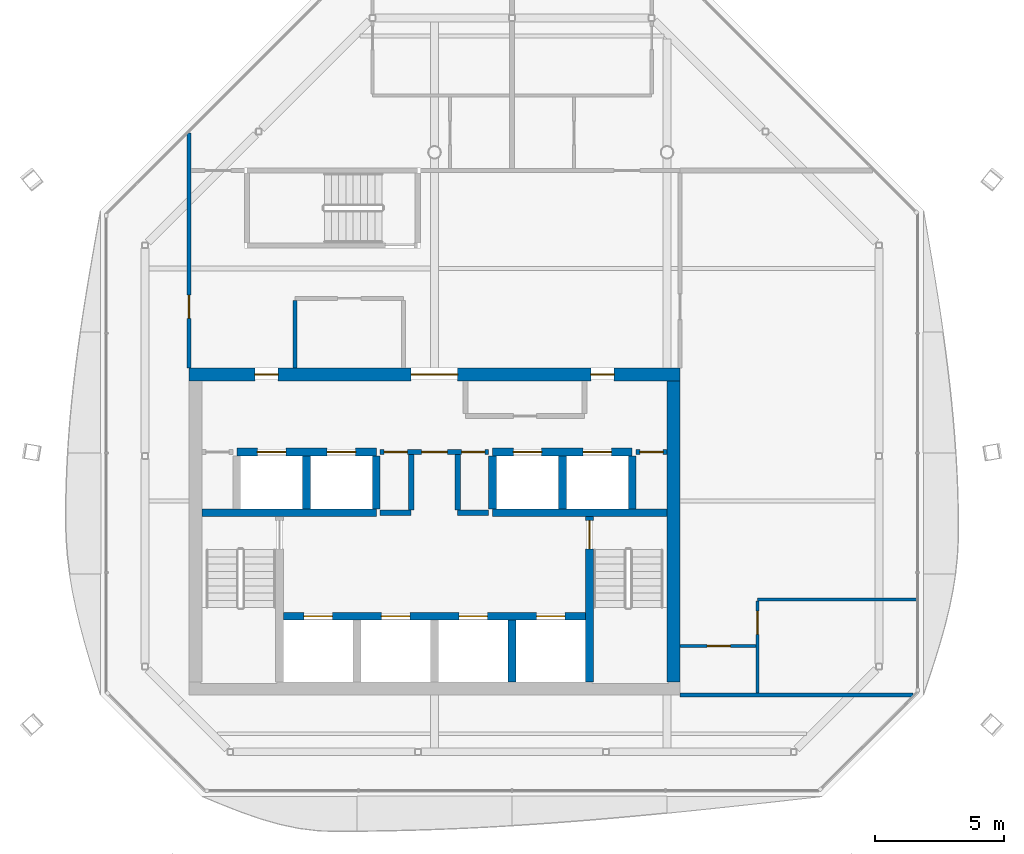
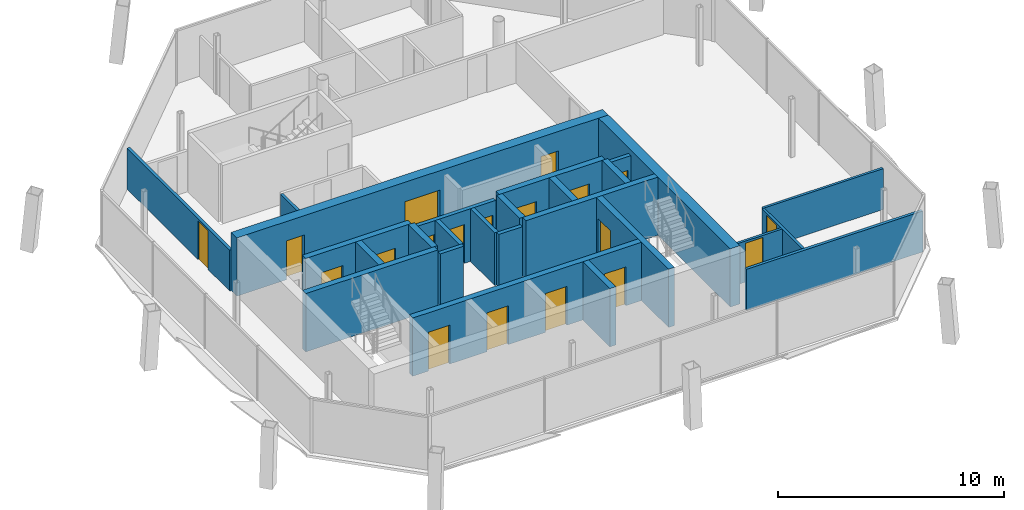
# One storey, part 9 of 13: 26 walls, 19 doors, 19 openings.
"""IFC4 building model written with IfcOpenShell, lengths in metres."""

import ifcopenshell
import ifcopenshell.guid

model = None  # the IFC model being written
_history = None  # IfcOwnerHistory: only IFC2X3 demands one
_inside = {}  # id of a spatial element -> (the spatial element, [elements in it])
_under = {}  # id of a project, library or spatial element -> (it, [spatial elements below it])
_declared = {}  # id of a project -> (the project, [libraries it declares])
_typed = {}  # id of a type object -> (the type object, [elements of that type])
_made_of = {}  # id of a material, layer set ... -> (it, [elements and type objects made of it])


def new_model(schema):
    """Start an empty IFC model of exactly this schema.

    Asked for "IFC4X3", IfcOpenShell would pick the latest addendum, in which some entities
    have other attributes; the version numbers below select the first issue.
    IFC2X3 requires an IfcOwnerHistory on every rooted entity: one is made here for all.
    """
    global model, _history
    if schema == "IFC4X3":
        model = ifcopenshell.file(schema_version=(4, 3, 0, 0))
    else:
        model = ifcopenshell.file(schema=schema)
    _inside.clear()
    _under.clear()
    _declared.clear()
    _typed.clear()
    _made_of.clear()
    _history = None
    if model.schema == "IFC2X3":
        org = make("IfcOrganization", Name="unknown")
        user = make(
            "IfcPersonAndOrganization",
            ThePerson=make("IfcPerson", FamilyName="unknown"),
            TheOrganization=org,
        )
        app = make(
            "IfcApplication",
            ApplicationDeveloper=org,
            Version="unknown",
            ApplicationFullName="unknown",
            ApplicationIdentifier="unknown",
        )
        _history = make(
            "IfcOwnerHistory",
            OwningUser=user,
            OwningApplication=app,
            ChangeAction="ADDED",
            CreationDate=0,
        )
    return model


def make(cls, **values):
    """One entity of the class cls with the attributes given. An attribute that is None is left unset."""
    return model.create_entity(
        cls, **{name: value for name, value in values.items() if value is not None}
    )


def rooted(cls, **values):
    """An entity with a GlobalId (a new one), such as an element, a storey or a relation."""
    return make(cls, GlobalId=ifcopenshell.guid.new(), OwnerHistory=_history, **values)


def si_unit(unit_type, name, prefix=None):
    """IfcSIUnit, for example si_unit("LENGTHUNIT", "METRE", prefix="MILLI")."""
    return make("IfcSIUnit", UnitType=unit_type, Prefix=prefix, Name=name)


def assignment(units):
    """IfcUnitAssignment: the units of a project."""
    return None if units is None else make("IfcUnitAssignment", Units=units)


def point(xyz):
    """IfcCartesianPoint."""
    return None if xyz is None else make("IfcCartesianPoint", Coordinates=xyz)


def direction(xyz):
    """IfcDirection."""
    return None if xyz is None else make("IfcDirection", DirectionRatios=xyz)


def frame(location, z_axis=None, x_axis=None):
    """IfcAxis2Placement3D, a coordinate frame: its origin and axes. An axis left out is left unset."""
    return make(
        "IfcAxis2Placement3D",
        Location=point(location),
        Axis=direction(z_axis),
        RefDirection=direction(x_axis),
    )


def frame_2d(location, x_axis=None):
    """IfcAxis2Placement2D, a coordinate frame in the plane: its origin and x axis."""
    return make(
        "IfcAxis2Placement2D", Location=point(location), RefDirection=direction(x_axis)
    )


def origin():
    """The frame at (0, 0, 0) with its axes left unset."""
    return frame((0.0, 0.0, 0.0))


def place(relative_to, where):
    """IfcLocalPlacement: puts the frame where relative to a parent placement (None: the world)."""
    return make(
        "IfcLocalPlacement", PlacementRelTo=relative_to, RelativePlacement=where
    )


def context(
    kind, dimensions, precision=None, world=None, true_north=None, identifier=None
):
    """IfcGeometricRepresentationContext, for example the 3D "Model" context."""
    return make(
        "IfcGeometricRepresentationContext",
        ContextIdentifier=identifier,
        ContextType=kind,
        CoordinateSpaceDimension=dimensions,
        Precision=precision,
        WorldCoordinateSystem=world,
        TrueNorth=true_north,
    )


def subcontext(parent, identifier, kind, view, scale=None):
    """IfcGeometricRepresentationSubContext, for example "Body" below "Model"."""
    return make(
        "IfcGeometricRepresentationSubContext",
        ContextIdentifier=identifier,
        ContextType=kind,
        ParentContext=parent,
        TargetScale=scale,
        TargetView=view,
    )


def project(units=None, contexts=None):
    """IfcProject with its units and contexts."""
    return rooted(
        "IfcProject",
        Name="project",
        RepresentationContexts=contexts,
        UnitsInContext=assignment(units),
    )


def spatial(cls, under=None, at=None, **own):
    """A site, building, storey or space (cls), placed at a placement, below another one or the project."""
    s = rooted(cls, ObjectPlacement=at, **own)
    if under is not None:
        _under.setdefault(under.id(), (under, []))[1].append(s)
    return s


def profile(cls, at=None, kind="AREA", **sizes):
    """A parametric profile (cls). Its sizes go by their IFC names, for example OverallWidth=200.0."""
    return make(cls, ProfileType=kind, Position=at, **sizes)


def rectangle(**sizes):
    """IfcRectangleProfileDef."""
    return profile("IfcRectangleProfileDef", **sizes)


def extrude(swept, where, along, depth):
    """IfcExtrudedAreaSolid: the profile swept, set in the frame where, extruded along a direction by depth."""
    return make(
        "IfcExtrudedAreaSolid",
        SweptArea=swept,
        Position=where,
        ExtrudedDirection=direction(along),
        Depth=depth,
    )


def shape(context_of_items, identifier, shape_type, items):
    """IfcShapeRepresentation: the items that make up one representation, for example the "Body"."""
    return make(
        "IfcShapeRepresentation",
        ContextOfItems=context_of_items,
        RepresentationIdentifier=identifier,
        RepresentationType=shape_type,
        Items=items,
    )


def material(Name=None, Category=None):
    """IfcMaterial."""
    return make("IfcMaterial", Name=Name, Category=Category)


def layer(
    of_material, thickness, ventilated=None, Name=None, Category=None, Priority=None
):
    """IfcMaterialLayer: one layer of a wall or slab, of a material (None: an air gap)."""
    return make(
        "IfcMaterialLayer",
        Material=of_material,
        LayerThickness=thickness,
        IsVentilated=ventilated,
        Name=Name,
        Category=Category,
        Priority=Priority,
    )


def layer_set(layers, Name=None):
    """IfcMaterialLayerSet."""
    return make("IfcMaterialLayerSet", MaterialLayers=layers, LayerSetName=Name)


def made_of(thing, what):
    """Note that an element or type object is made of a material, layer set ...; save() writes the relation."""
    if what is not None:
        _made_of.setdefault(what.id(), (what, []))[1].append(thing)
    return thing


def type_object(cls, material=None, **own):
    """A type object (cls), such as IfcWallType, which elements share."""
    return made_of(rooted(cls, **own), material)


def element(
    cls,
    number,
    at=None,
    inside=None,
    cuts=None,
    type_object=None,
    material=None,
    context=None,
    identifier="Body",
    shape_type=None,
    held_by="IfcProductDefinitionShape",
    body=None,
    shapes=None,
    **own,
):
    """One element of the class cls, such as IfcWall. Its Tag is "e" and its number.

    at: its placement. inside: the storey or other place that contains it. cuts: it is an
    opening in that element (IfcRelVoidsElement). A single representation is given by context,
    identifier, shape_type and body (its items); several are given by shapes. held_by: the class
    of the entity that holds the representations. save() writes the other relations.
    """
    e = rooted(cls, Tag="e%d" % number, ObjectPlacement=at, **own)
    if body is not None:
        shapes = [shape(context, identifier, shape_type, body)]
    if shapes is not None:
        e.Representation = make(held_by, Representations=shapes)
    if inside is not None:
        _inside.setdefault(inside.id(), (inside, []))[1].append(e)
    if cuts is not None:
        rooted(
            "IfcRelVoidsElement", RelatingBuildingElement=cuts, RelatedOpeningElement=e
        )
    if type_object is not None:
        _typed.setdefault(type_object.id(), (type_object, []))[1].append(e)
    return made_of(e, material)


def fill(opening, filler):
    """IfcRelFillsElement: the door or window that sits in an opening."""
    return rooted(
        "IfcRelFillsElement",
        RelatingOpeningElement=opening,
        RelatedBuildingElement=filler,
    )


def aggregate(whole, parts):
    """IfcRelAggregates: a whole, such as a stair, and the parts it consists of."""
    return rooted("IfcRelAggregates", RelatingObject=whole, RelatedObjects=parts)


def save(model, path):
    """Write the relations noted so far, then the file.

    IfcRelAggregates (storeys below a building ...), IfcRelContainedInSpatialStructure (elements
    in a storey), IfcRelDefinesByType, IfcRelAssociatesMaterial and IfcRelDeclares: one each for
    every whole, place, type object, material and project.
    """
    for whole, parts in _under.values():
        aggregate(whole, parts)
    for where, things in _inside.values():
        rooted(
            "IfcRelContainedInSpatialStructure",
            RelatedElements=things,
            RelatingStructure=where,
        )
    for kind, things in _typed.values():
        rooted("IfcRelDefinesByType", RelatedObjects=things, RelatingType=kind)
    for what, things in _made_of.values():
        rooted("IfcRelAssociatesMaterial", RelatedObjects=things, RelatingMaterial=what)
    for by, libraries in _declared.values():
        rooted("IfcRelDeclares", RelatingContext=by, RelatedDefinitions=libraries)
    model.write(path)


model = new_model("IFC4")

# Units and contexts
model_context = context("Model", 3, precision=1e-05, world=origin(), true_north=direction((0.0, 1.0)))
body_context = subcontext(model_context, "Body", "Model", "MODEL_VIEW")
ifc_project = project(units=[si_unit("LENGTHUNIT", "METRE"), si_unit("AREAUNIT", "SQUARE_METRE"), si_unit("VOLUMEUNIT", "CUBIC_METRE"), si_unit("PLANEANGLEUNIT", "RADIAN"), si_unit("MASSUNIT", "GRAM", prefix="KILO")], contexts=[model_context])

# Site, building, storey
site_placement = place(None, origin())
site = spatial("IfcSite", under=ifc_project, at=site_placement, CompositionType="ELEMENT")
building_placement = place(site_placement, origin())
building = spatial("IfcBuilding", under=site, at=building_placement, Name="Tskaro Facet Tower", CompositionType="ELEMENT")
storey_placement = place(building_placement, frame((0.0, 0.0, 281.550048828125)))
storey = spatial("IfcBuildingStorey", under=building, at=storey_placement, Name="L75", CompositionType="ELEMENT", Elevation=281.550048828125)

# Wall, openings, doors
ifc_material_1 = material(Name="Concrete C60/75", Category="concrete")
ifc_layer_1 = layer(ifc_material_1, 0.300048828125, Name="Concrete C60/75")
ifc_layer_set_1 = layer_set([ifc_layer_1], Name="Concrete C60/75")
wall_type_1 = type_object("IfcWallType", Name="CORE-SHAFT", PredefinedType="SHEAR", material=ifc_layer_set_1)
wall_1_placement = place(storey_placement, frame((-5.85009765625, -8.949951171875, 0.0), z_axis=(0.0, 0.0, 1.0), x_axis=(1.0, 0.0, 0.0)))
wall_1 = element("IfcWall", 1, at=wall_1_placement, inside=storey, type_object=wall_type_1, Name="Shaft wall W003", PredefinedType="SHEAR", context=body_context, shape_type="SweptSolid", body=[
    extrude(rectangle(XDim=11.7001953125, YDim=0.300048828125, at=frame_2d((5.85009765625, 0.0))), origin(), (0.0, 0.0, 1.0), 3.14990234375),
])
opening_1_placement = place(wall_1_placement, frame((0.800048828125, 0.0, 0.0)))
opening_1 = element("IfcOpeningElement", 2, at=opening_1_placement, cuts=wall_1, Name="Opening LD-FF1", PredefinedType="OPENING", context=body_context, shape_type="SweptSolid", body=[
    extrude(rectangle(XDim=1.10009765625, YDim=2.10009765625, at=frame_2d((0.550048828125, 1.050048828125))), frame((0.0, 0.159912109375, 0.0), z_axis=(0.0, -1.0, 0.0), x_axis=(1.0, 0.0, 0.0)), (0.0, 0.0, 1.0), 0.320068359375),
])
opening_2_placement = place(wall_1_placement, frame((3.800048828125, 0.0, 0.0)))
opening_2 = element("IfcOpeningElement", 3, at=opening_2_placement, cuts=wall_1, Name="Opening LD-FF2", PredefinedType="OPENING", context=body_context, shape_type="SweptSolid", body=[
    extrude(rectangle(XDim=1.10009765625, YDim=2.10009765625, at=frame_2d((0.550048828125, 1.050048828125))), frame((0.0, 0.159912109375, 0.0), z_axis=(0.0, -1.0, 0.0), x_axis=(1.0, 0.0, 0.0)), (0.0, 0.0, 1.0), 0.320068359375),
])
opening_3_placement = place(wall_1_placement, frame((6.800048828125, 0.0, 0.0)))
opening_3 = element("IfcOpeningElement", 4, at=opening_3_placement, cuts=wall_1, Name="Opening LD-SV1", PredefinedType="OPENING", context=body_context, shape_type="SweptSolid", body=[
    extrude(rectangle(XDim=1.10009765625, YDim=2.10009765625, at=frame_2d((0.550048828125, 1.050048828125))), frame((0.0, 0.159912109375, 0.0), z_axis=(0.0, -1.0, 0.0), x_axis=(1.0, 0.0, 0.0)), (0.0, 0.0, 1.0), 0.320068359375),
])
opening_4_placement = place(wall_1_placement, frame((9.800048828125, 0.0, 0.0)))
opening_4 = element("IfcOpeningElement", 5, at=opening_4_placement, cuts=wall_1, Name="Opening LD-SV2", PredefinedType="OPENING", context=body_context, shape_type="SweptSolid", body=[
    extrude(rectangle(XDim=1.10009765625, YDim=2.10009765625, at=frame_2d((0.550048828125, 1.050048828125))), frame((0.0, 0.159912109375, 0.0), z_axis=(0.0, -1.0, 0.0), x_axis=(1.0, 0.0, 0.0)), (0.0, 0.0, 1.0), 0.320068359375),
])
ifc_material_2 = material(Name="Stainless steel", Category="steel")
door_type_1 = type_object("IfcDoorType", Name="D-LANDING", OperationType="NOTDEFINED", PredefinedType="DOOR", material=ifc_material_2)
door_1_placement = place(opening_1_placement, origin())
door_1 = element("IfcDoor", 6, at=door_1_placement, inside=storey, type_object=door_type_1, Name="Landing door FF1", OperationType="DOUBLE_DOOR_SLIDING", OverallHeight=2.10009765625, OverallWidth=1.10009765625, PredefinedType="DOOR", context=body_context, shape_type="SweptSolid", body=[
    extrude(rectangle(XDim=1.10009765625, YDim=2.10009765625, at=frame_2d((0.550048828125, 1.050048828125))), frame((0.0, 0.02490234375, 0.0), z_axis=(0.0, -1.0, 0.0), x_axis=(1.0, 0.0, 0.0)), (0.0, 0.0, 1.0), 0.050048828125),
])
fill(opening_1, door_1)
door_2_placement = place(opening_2_placement, origin())
door_2 = element("IfcDoor", 7, at=door_2_placement, inside=storey, type_object=door_type_1, Name="Landing door FF2", OperationType="DOUBLE_DOOR_SLIDING", OverallHeight=2.10009765625, OverallWidth=1.10009765625, PredefinedType="DOOR", context=body_context, shape_type="SweptSolid", body=[
    extrude(rectangle(XDim=1.10009765625, YDim=2.10009765625, at=frame_2d((0.550048828125, 1.050048828125))), frame((0.0, 0.02490234375, 0.0), z_axis=(0.0, -1.0, 0.0), x_axis=(1.0, 0.0, 0.0)), (0.0, 0.0, 1.0), 0.050048828125),
])
fill(opening_2, door_2)
door_3_placement = place(opening_3_placement, origin())
door_3 = element("IfcDoor", 8, at=door_3_placement, inside=storey, type_object=door_type_1, Name="Landing door SV1", OperationType="DOUBLE_DOOR_SLIDING", OverallHeight=2.10009765625, OverallWidth=1.10009765625, PredefinedType="DOOR", context=body_context, shape_type="SweptSolid", body=[
    extrude(rectangle(XDim=1.10009765625, YDim=2.10009765625, at=frame_2d((0.550048828125, 1.050048828125))), frame((0.0, 0.02490234375, 0.0), z_axis=(0.0, -1.0, 0.0), x_axis=(1.0, 0.0, 0.0)), (0.0, 0.0, 1.0), 0.050048828125),
])
fill(opening_3, door_3)
door_4_placement = place(opening_4_placement, origin())
door_4 = element("IfcDoor", 9, at=door_4_placement, inside=storey, type_object=door_type_1, Name="Landing door SV2", OperationType="DOUBLE_DOOR_SLIDING", OverallHeight=2.10009765625, OverallWidth=1.10009765625, PredefinedType="DOOR", context=body_context, shape_type="SweptSolid", body=[
    extrude(rectangle(XDim=1.10009765625, YDim=2.10009765625, at=frame_2d((0.550048828125, 1.050048828125))), frame((0.0, 0.02490234375, 0.0), z_axis=(0.0, -1.0, 0.0), x_axis=(1.0, 0.0, 0.0)), (0.0, 0.0, 1.0), 0.050048828125),
])
fill(opening_4, door_4)

# Walls
for number, where, z_axis, x_axis, name in (
    (10, (-9.0, -4.949951171875, 0.0), (0.0, 0.0, 1.0), (1.0, 0.0, 0.0), "Shaft wall W005"),
    (11, (2.25, -4.949951171875, 0.0), (0.0, 0.0, 1.0), (1.0, 0.0, 0.0), "Shaft wall W008"),
):
    element("IfcWall", number, at=place(storey_placement, frame(where, z_axis=z_axis, x_axis=x_axis)), inside=storey, type_object=wall_type_1, Name=name, PredefinedType="SHEAR", context=body_context, shape_type="SweptSolid", body=[
        extrude(rectangle(XDim=6.75, YDim=0.300048828125, at=frame_2d((3.375, 0.0))), origin(), (0.0, 0.0, 1.0), 3.14990234375),
    ])

# Wall, openings, doors
wall_2_placement = place(storey_placement, frame((-7.64990234375, -2.60009765625, 0.0), z_axis=(0.0, 0.0, 1.0), x_axis=(1.0, 0.0, 0.0)))
wall_2 = element("IfcWall", 12, at=wall_2_placement, inside=storey, type_object=wall_type_1, Name="Shaft wall W010", PredefinedType="SHEAR", context=body_context, shape_type="SweptSolid", body=[
    extrude(rectangle(XDim=5.39990234375, YDim=0.300048828125, at=frame_2d((2.699951171875, 0.0))), origin(), (0.0, 0.0, 1.0), 3.14990234375),
])
opening_5_placement = place(wall_2_placement, frame((0.800048828125, 0.0, 0.0)))
opening_5 = element("IfcOpeningElement", 13, at=opening_5_placement, cuts=wall_2, Name="Opening LD-HB1", PredefinedType="OPENING", context=body_context, shape_type="SweptSolid", body=[
    extrude(rectangle(XDim=1.10009765625, YDim=2.10009765625, at=frame_2d((0.550048828125, 1.050048828125))), frame((0.0, 0.159912109375, 0.0), z_axis=(0.0, -1.0, 0.0), x_axis=(1.0, 0.0, 0.0)), (0.0, 0.0, 1.0), 0.320068359375),
])
opening_6_placement = place(wall_2_placement, frame((3.5, 0.0, 0.0)))
opening_6 = element("IfcOpeningElement", 14, at=opening_6_placement, cuts=wall_2, Name="Opening LD-HB2", PredefinedType="OPENING", context=body_context, shape_type="SweptSolid", body=[
    extrude(rectangle(XDim=1.10009765625, YDim=2.10009765625, at=frame_2d((0.550048828125, 1.050048828125))), frame((0.0, 0.159912109375, 0.0), z_axis=(0.0, -1.0, 0.0), x_axis=(1.0, 0.0, 0.0)), (0.0, 0.0, 1.0), 0.320068359375),
])
door_5_placement = place(opening_5_placement, origin())
door_5 = element("IfcDoor", 15, at=door_5_placement, inside=storey, type_object=door_type_1, Name="Landing door HB1", OperationType="DOUBLE_DOOR_SLIDING", OverallHeight=2.10009765625, OverallWidth=1.10009765625, PredefinedType="DOOR", context=body_context, shape_type="SweptSolid", body=[
    extrude(rectangle(XDim=1.10009765625, YDim=2.10009765625, at=frame_2d((0.550048828125, 1.050048828125))), frame((0.0, 0.02490234375, 0.0), z_axis=(0.0, -1.0, 0.0), x_axis=(1.0, 0.0, 0.0)), (0.0, 0.0, 1.0), 0.050048828125),
])
fill(opening_5, door_5)
door_6_placement = place(opening_6_placement, origin())
door_6 = element("IfcDoor", 16, at=door_6_placement, inside=storey, type_object=door_type_1, Name="Landing door HB2", OperationType="DOUBLE_DOOR_SLIDING", OverallHeight=2.10009765625, OverallWidth=1.10009765625, PredefinedType="DOOR", context=body_context, shape_type="SweptSolid", body=[
    extrude(rectangle(XDim=1.10009765625, YDim=2.10009765625, at=frame_2d((0.550048828125, 1.050048828125))), frame((0.0, 0.02490234375, 0.0), z_axis=(0.0, -1.0, 0.0), x_axis=(1.0, 0.0, 0.0)), (0.0, 0.0, 1.0), 0.050048828125),
])
fill(opening_6, door_6)

wall_3_placement = place(storey_placement, frame((2.25, -2.60009765625, 0.0), z_axis=(0.0, 0.0, 1.0), x_axis=(1.0, 0.0, 0.0)))
wall_3 = element("IfcWall", 17, at=wall_3_placement, inside=storey, type_object=wall_type_1, Name="Shaft wall W012", PredefinedType="SHEAR", context=body_context, shape_type="SweptSolid", body=[
    extrude(rectangle(XDim=5.39990234375, YDim=0.300048828125, at=frame_2d((2.699951171875, 0.0))), origin(), (0.0, 0.0, 1.0), 3.14990234375),
])
opening_7_placement = place(wall_3_placement, frame((0.800048828125, 0.0, 0.0)))
opening_7 = element("IfcOpeningElement", 18, at=opening_7_placement, cuts=wall_3, Name="Opening LD-HB3", PredefinedType="OPENING", context=body_context, shape_type="SweptSolid", body=[
    extrude(rectangle(XDim=1.10009765625, YDim=2.10009765625, at=frame_2d((0.550048828125, 1.050048828125))), frame((0.0, 0.159912109375, 0.0), z_axis=(0.0, -1.0, 0.0), x_axis=(1.0, 0.0, 0.0)), (0.0, 0.0, 1.0), 0.320068359375),
])
opening_8_placement = place(wall_3_placement, frame((3.5, 0.0, 0.0)))
opening_8 = element("IfcOpeningElement", 19, at=opening_8_placement, cuts=wall_3, Name="Opening LD-HB4", PredefinedType="OPENING", context=body_context, shape_type="SweptSolid", body=[
    extrude(rectangle(XDim=1.10009765625, YDim=2.10009765625, at=frame_2d((0.550048828125, 1.050048828125))), frame((0.0, 0.159912109375, 0.0), z_axis=(0.0, -1.0, 0.0), x_axis=(1.0, 0.0, 0.0)), (0.0, 0.0, 1.0), 0.320068359375),
])
door_7_placement = place(opening_7_placement, origin())
door_7 = element("IfcDoor", 20, at=door_7_placement, inside=storey, type_object=door_type_1, Name="Landing door HB3", OperationType="DOUBLE_DOOR_SLIDING", OverallHeight=2.10009765625, OverallWidth=1.10009765625, PredefinedType="DOOR", context=body_context, shape_type="SweptSolid", body=[
    extrude(rectangle(XDim=1.10009765625, YDim=2.10009765625, at=frame_2d((0.550048828125, 1.050048828125))), frame((0.0, 0.02490234375, 0.0), z_axis=(0.0, -1.0, 0.0), x_axis=(1.0, 0.0, 0.0)), (0.0, 0.0, 1.0), 0.050048828125),
])
fill(opening_7, door_7)
door_8_placement = place(opening_8_placement, origin())
door_8 = element("IfcDoor", 21, at=door_8_placement, inside=storey, type_object=door_type_1, Name="Landing door HB4", OperationType="DOUBLE_DOOR_SLIDING", OverallHeight=2.10009765625, OverallWidth=1.10009765625, PredefinedType="DOOR", context=body_context, shape_type="SweptSolid", body=[
    extrude(rectangle(XDim=1.10009765625, YDim=2.10009765625, at=frame_2d((0.550048828125, 1.050048828125))), frame((0.0, 0.02490234375, 0.0), z_axis=(0.0, -1.0, 0.0), x_axis=(1.0, 0.0, 0.0)), (0.0, 0.0, 1.0), 0.050048828125),
])
fill(opening_8, door_8)

# Walls
for number, where, z_axis, x_axis, name in (
    (22, (-4.949951171875, -4.800048828125, 0.0), (0.0, 0.0, 1.0), (0.0, 1.0, 0.0), "Shaft wall W027"),
    (23, (-2.25, -4.800048828125, 0.0), (0.0, 0.0, 1.0), (0.0, 1.0, 0.0), "Shaft wall W031"),
    (24, (2.25, -4.800048828125, 0.0), (0.0, 0.0, 1.0), (0.0, 1.0, 0.0), "Shaft wall W039"),
):
    element("IfcWall", number, at=place(storey_placement, frame(where, z_axis=z_axis, x_axis=x_axis)), inside=storey, type_object=wall_type_1, Name=name, PredefinedType="SHEAR", context=body_context, shape_type="SweptSolid", body=[
        extrude(rectangle(XDim=2.050048828125, YDim=0.300048828125, at=frame_2d((1.02490234375, 0.0))), origin(), (0.0, 0.0, 1.0), 3.14990234375),
    ])
wall_4_placement = place(storey_placement, frame((3.0, -11.5, 0.0), z_axis=(0.0, 0.0, 1.0), x_axis=(0.0, 1.0, 0.0)))
element("IfcWall", 25, at=wall_4_placement, inside=storey, type_object=wall_type_1, Name="Shaft wall W040", PredefinedType="SHEAR", context=body_context, shape_type="SweptSolid", body=[
    extrude(rectangle(XDim=2.39990234375, YDim=0.300048828125, at=frame_2d((1.199951171875, 0.0))), origin(), (0.0, 0.0, 1.0), 3.14990234375),
])
wall_5_placement = place(storey_placement, frame((4.949951171875, -4.800048828125, 0.0), z_axis=(0.0, 0.0, 1.0), x_axis=(0.0, 1.0, 0.0)))
element("IfcWall", 26, at=wall_5_placement, inside=storey, type_object=wall_type_1, Name="Shaft wall W043", PredefinedType="SHEAR", context=body_context, shape_type="SweptSolid", body=[
    extrude(rectangle(XDim=2.050048828125, YDim=0.300048828125, at=frame_2d((1.02490234375, 0.0))), origin(), (0.0, 0.0, 1.0), 3.14990234375),
])

# Wall, opening, door
wall_6_placement = place(storey_placement, frame((6.0, -5.10009765625, 0.0), z_axis=(0.0, 0.0, 1.0), x_axis=(0.0, -1.0, 0.0)))
wall_6 = element("IfcWall", 27, at=wall_6_placement, inside=storey, type_object=wall_type_1, Name="Shaft wall W046", PredefinedType="SHEAR", context=body_context, shape_type="SweptSolid", body=[
    extrude(rectangle(XDim=6.39990234375, YDim=0.300048828125, at=frame_2d((3.199951171875, 0.0))), origin(), (0.0, 0.0, 1.0), 3.14990234375),
])
opening_9_placement = place(wall_6_placement, frame((0.14990234375, 0.0, 0.0)))
opening_9 = element("IfcOpeningElement", 28, at=opening_9_placement, cuts=wall_6, Name="Opening ST-2-D1", PredefinedType="OPENING", context=body_context, shape_type="SweptSolid", body=[
    extrude(rectangle(XDim=1.10009765625, YDim=2.10009765625, at=frame_2d((0.550048828125, 1.050048828125))), frame((0.0, 0.159912109375, 0.0), z_axis=(0.0, -1.0, 0.0), x_axis=(1.0, 0.0, 0.0)), (0.0, 0.0, 1.0), 0.320068359375),
])
ifc_material_3 = material(Name="Steel", Category="steel")
door_type_2 = type_object("IfcDoorType", Name="D-STAIR", OperationType="NOTDEFINED", PredefinedType="DOOR", material=ifc_material_3)
door_9_placement = place(opening_9_placement, origin())
door_9 = element("IfcDoor", 29, at=door_9_placement, inside=storey, type_object=door_type_2, Name="Stair door 2", OperationType="SINGLE_SWING_RIGHT", OverallHeight=2.10009765625, OverallWidth=1.10009765625, PredefinedType="DOOR", context=body_context, shape_type="SweptSolid", body=[
    extrude(rectangle(XDim=1.10009765625, YDim=2.10009765625, at=frame_2d((0.550048828125, 1.050048828125))), frame((0.0, 0.02490234375, 0.0), z_axis=(0.0, -1.0, 0.0), x_axis=(1.0, 0.0, 0.0)), (0.0, 0.0, 1.0), 0.050048828125),
])
fill(opening_9, door_9)

# Walls
wall_7_placement = place(storey_placement, frame((7.64990234375, -4.800048828125, 0.0), z_axis=(0.0, 0.0, 1.0), x_axis=(0.0, 1.0, 0.0)))
element("IfcWall", 30, at=wall_7_placement, inside=storey, type_object=wall_type_1, Name="Shaft wall W047", PredefinedType="SHEAR", context=body_context, shape_type="SweptSolid", body=[
    extrude(rectangle(XDim=2.050048828125, YDim=0.300048828125, at=frame_2d((1.02490234375, 0.0))), origin(), (0.0, 0.0, 1.0), 3.14990234375),
])
ifc_material_4 = material(Name="Concrete C20/25", Category="concrete")
ifc_layer_2 = layer(ifc_material_4, 0.199951171875, Name="Concrete C20/25")
ifc_layer_set_2 = layer_set([ifc_layer_2], Name="Concrete C20/25")
wall_type_2 = type_object("IfcWallType", Name="CORE-WALL", PredefinedType="SOLIDWALL", material=ifc_layer_set_2)
for number, where, z_axis, x_axis, name in (
    (31, (-2.10009765625, -4.949951171875, 0.0), (0.0, 0.0, 1.0), (1.0, 0.0, 0.0), "Core room wall W006"),
    (32, (0.89990234375, -4.949951171875, 0.0), (0.0, 0.0, 1.0), (1.0, 0.0, 0.0), "Core room wall W007"),
):
    element("IfcWall", number, at=place(storey_placement, frame(where, z_axis=z_axis, x_axis=x_axis)), inside=storey, type_object=wall_type_2, Name=name, PredefinedType="SOLIDWALL", context=body_context, shape_type="SweptSolid", body=[
        extrude(rectangle(XDim=1.2001953125, YDim=0.199951171875, at=frame_2d((0.60009765625, 0.0))), origin(), (0.0, 0.0, 1.0), 2.849853515625),
    ])

# Wall, openings, doors
wall_8_placement = place(storey_placement, frame((2.10009765625, -2.60009765625, 0.0), z_axis=(0.0, 0.0, 1.0), x_axis=(-1.0, 0.0, 0.0)))
wall_8 = element("IfcWall", 33, at=wall_8_placement, inside=storey, type_object=wall_type_2, Name="Core room wall W011", PredefinedType="SOLIDWALL", context=body_context, shape_type="SweptSolid", body=[
    extrude(rectangle(XDim=4.2001953125, YDim=0.199951171875, at=frame_2d((2.10009765625, 0.0))), origin(), (0.0, 0.0, 1.0), 2.849853515625),
])
opening_10_placement = place(wall_8_placement, frame((1.60009765625, 0.0, 0.0)))
opening_10 = element("IfcOpeningElement", 34, at=opening_10_placement, cuts=wall_8, Name="Opening FL-D1", PredefinedType="OPENING", context=body_context, shape_type="SweptSolid", body=[
    extrude(rectangle(XDim=1.0, YDim=2.10009765625, at=frame_2d((0.5, 1.050048828125))), frame((0.0, 0.10986328125, 0.0), z_axis=(0.0, -1.0, 0.0), x_axis=(1.0, 0.0, 0.0)), (0.0, 0.0, 1.0), 0.219970703125),
])
opening_11_placement = place(wall_8_placement, frame((3.14990234375, 0.0, 0.0)))
opening_11 = element("IfcOpeningElement", 35, at=opening_11_placement, cuts=wall_8, Name="Opening T22-D04", PredefinedType="OPENING", context=body_context, shape_type="SweptSolid", body=[
    extrude(rectangle(XDim=0.89990234375, YDim=2.10009765625, at=frame_2d((0.449951171875, 1.050048828125))), frame((0.0, 0.10986328125, 0.0), z_axis=(0.0, -1.0, 0.0), x_axis=(1.0, 0.0, 0.0)), (0.0, 0.0, 1.0), 0.219970703125),
])
opening_12_placement = place(wall_8_placement, frame((0.14990234375, 0.0, 0.0)))
opening_12 = element("IfcOpeningElement", 36, at=opening_12_placement, cuts=wall_8, Name="Opening T22-D05", PredefinedType="OPENING", context=body_context, shape_type="SweptSolid", body=[
    extrude(rectangle(XDim=0.89990234375, YDim=2.10009765625, at=frame_2d((0.449951171875, 1.050048828125))), frame((0.0, 0.10986328125, 0.0), z_axis=(0.0, -1.0, 0.0), x_axis=(1.0, 0.0, 0.0)), (0.0, 0.0, 1.0), 0.219970703125),
])
door_type_3 = type_object("IfcDoorType", Name="D-LOBBY", OperationType="NOTDEFINED", PredefinedType="DOOR", material=ifc_material_3)
door_10_placement = place(opening_10_placement, origin())
door_10 = element("IfcDoor", 37, at=door_10_placement, inside=storey, type_object=door_type_3, Name="Lobby door FL", OperationType="SINGLE_SWING_RIGHT", OverallHeight=2.10009765625, OverallWidth=1.0, PredefinedType="DOOR", context=body_context, shape_type="SweptSolid", body=[
    extrude(rectangle(XDim=1.0, YDim=2.10009765625, at=frame_2d((0.5, 1.050048828125))), frame((0.0, 0.02490234375, 0.0), z_axis=(0.0, -1.0, 0.0), x_axis=(1.0, 0.0, 0.0)), (0.0, 0.0, 1.0), 0.050048828125),
])
fill(opening_10, door_10)
ifc_material_5 = material(Name="Timber", Category="wood")
door_type_4 = type_object("IfcDoorType", Name="D-ROOM", OperationType="NOTDEFINED", PredefinedType="DOOR", material=ifc_material_5)
door_11_placement = place(opening_11_placement, origin())
door_11 = element("IfcDoor", 38, at=door_11_placement, inside=storey, type_object=door_type_4, Name="Door T22-D04", OperationType="SINGLE_SWING_RIGHT", OverallHeight=2.10009765625, OverallWidth=0.89990234375, PredefinedType="DOOR", context=body_context, shape_type="SweptSolid", body=[
    extrude(rectangle(XDim=0.89990234375, YDim=2.10009765625, at=frame_2d((0.449951171875, 1.050048828125))), frame((0.0, 0.02490234375, 0.0), z_axis=(0.0, -1.0, 0.0), x_axis=(1.0, 0.0, 0.0)), (0.0, 0.0, 1.0), 0.050048828125),
])
fill(opening_11, door_11)
door_12_placement = place(opening_12_placement, origin())
door_12 = element("IfcDoor", 39, at=door_12_placement, inside=storey, type_object=door_type_4, Name="Door T22-D05", OperationType="SINGLE_SWING_RIGHT", OverallHeight=2.10009765625, OverallWidth=0.89990234375, PredefinedType="DOOR", context=body_context, shape_type="SweptSolid", body=[
    extrude(rectangle(XDim=0.89990234375, YDim=2.10009765625, at=frame_2d((0.449951171875, 1.050048828125))), frame((0.0, 0.02490234375, 0.0), z_axis=(0.0, -1.0, 0.0), x_axis=(1.0, 0.0, 0.0)), (0.0, 0.0, 1.0), 0.050048828125),
])
fill(opening_12, door_12)

# Wall, opening, door
wall_9_placement = place(storey_placement, frame((9.0, -2.60009765625, 0.0), z_axis=(0.0, 0.0, 1.0), x_axis=(-1.0, 0.0, 0.0)))
wall_9 = element("IfcWall", 40, at=wall_9_placement, inside=storey, type_object=wall_type_2, Name="Core room wall W013", PredefinedType="SOLIDWALL", context=body_context, shape_type="SweptSolid", body=[
    extrude(rectangle(XDim=1.199951171875, YDim=0.199951171875, at=frame_2d((0.60009765625, 0.0))), origin(), (0.0, 0.0, 1.0), 2.849853515625),
])
opening_13_placement = place(wall_9_placement, frame((0.14990234375, 0.0, 0.0)))
opening_13 = element("IfcOpeningElement", 41, at=opening_13_placement, cuts=wall_9, Name="Opening T22-D06", PredefinedType="OPENING", context=body_context, shape_type="SweptSolid", body=[
    extrude(rectangle(XDim=0.89990234375, YDim=2.10009765625, at=frame_2d((0.449951171875, 1.050048828125))), frame((0.0, 0.10986328125, 0.0), z_axis=(0.0, -1.0, 0.0), x_axis=(1.0, 0.0, 0.0)), (0.0, 0.0, 1.0), 0.219970703125),
])
door_13_placement = place(opening_13_placement, origin())
door_13 = element("IfcDoor", 42, at=door_13_placement, inside=storey, type_object=door_type_4, Name="Door T22-D06", OperationType="SINGLE_SWING_RIGHT", OverallHeight=2.10009765625, OverallWidth=0.89990234375, PredefinedType="DOOR", context=body_context, shape_type="SweptSolid", body=[
    extrude(rectangle(XDim=0.89990234375, YDim=2.10009765625, at=frame_2d((0.449951171875, 1.050048828125))), frame((0.0, 0.02490234375, 0.0), z_axis=(0.0, -1.0, 0.0), x_axis=(1.0, 0.0, 0.0)), (0.0, 0.0, 1.0), 0.050048828125),
])
fill(opening_13, door_13)

# Walls
for number, where, z_axis, x_axis, name in (
    (43, (-0.89990234375, -4.85009765625, 0.0), (0.0, 0.0, 1.0), (0.0, 1.0, 0.0), "Core room wall W033"),
    (44, (0.89990234375, -4.85009765625, 0.0), (0.0, 0.0, 1.0), (0.0, 1.0, 0.0), "Core room wall W037"),
):
    element("IfcWall", number, at=place(storey_placement, frame(where, z_axis=z_axis, x_axis=x_axis)), inside=storey, type_object=wall_type_2, Name=name, PredefinedType="SOLIDWALL", context=body_context, shape_type="SweptSolid", body=[
        extrude(rectangle(XDim=2.150146484375, YDim=0.199951171875, at=frame_2d((1.0751953125, 0.0))), origin(), (0.0, 0.0, 1.0), 2.849853515625),
    ])

# Wall, openings, doors
ifc_material_6 = material(Name="Concrete C40/50", Category="concrete")
ifc_layer_3 = layer(ifc_material_6, 0.5, Name="Concrete C40/50")
ifc_layer_set_3 = layer_set([ifc_layer_3], Name="Concrete C40/50")
wall_type_3 = type_object("IfcWallType", Name="Core wall 500", PredefinedType="SHEAR", material=ifc_layer_set_3)
wall_10_placement = place(storey_placement, frame((-9.5, 0.39990234375, 0.0), z_axis=(0.0, 0.0, 1.0), x_axis=(1.0, 0.0, 0.0)))
wall_10 = element("IfcWall", 45, at=wall_10_placement, inside=storey, type_object=wall_type_3, Name="Core wall CW-Z3N", PredefinedType="SHEAR", context=body_context, shape_type="SweptSolid", body=[
    extrude(rectangle(XDim=19.0, YDim=0.5, at=frame_2d((9.5, 0.0))), origin(), (0.0, 0.0, 1.0), 3.14990234375),
])
opening_14_placement = place(wall_10_placement, frame((8.60009765625, 0.0, 0.0)))
opening_14 = element("IfcOpeningElement", 46, at=opening_14_placement, cuts=wall_10, Name="Opening T22-D09", PredefinedType="OPENING", context=body_context, shape_type="SweptSolid", body=[
    extrude(rectangle(XDim=1.800048828125, YDim=2.10009765625, at=frame_2d((0.89990234375, 1.050048828125))), frame((0.0, 0.260009765625, 0.0), z_axis=(0.0, -1.0, 0.0), x_axis=(1.0, 0.0, 0.0)), (0.0, 0.0, 1.0), 0.52001953125),
])
opening_15_placement = place(wall_10_placement, frame((2.550048828125, 0.0, 0.0)))
opening_15 = element("IfcOpeningElement", 47, at=opening_15_placement, cuts=wall_10, Name="Opening T22-D08", PredefinedType="OPENING", context=body_context, shape_type="SweptSolid", body=[
    extrude(rectangle(XDim=0.89990234375, YDim=2.10009765625, at=frame_2d((0.449951171875, 1.050048828125))), frame((0.0, 0.260009765625, 0.0), z_axis=(0.0, -1.0, 0.0), x_axis=(1.0, 0.0, 0.0)), (0.0, 0.0, 1.0), 0.52001953125),
])
opening_16_placement = place(wall_10_placement, frame((15.550048828125, 0.0, 0.0)))
opening_16 = element("IfcOpeningElement", 48, at=opening_16_placement, cuts=wall_10, Name="Opening T22-D10", PredefinedType="OPENING", context=body_context, shape_type="SweptSolid", body=[
    extrude(rectangle(XDim=0.89990234375, YDim=2.10009765625, at=frame_2d((0.449951171875, 1.050048828125))), frame((0.0, 0.260009765625, 0.0), z_axis=(0.0, -1.0, 0.0), x_axis=(1.0, 0.0, 0.0)), (0.0, 0.0, 1.0), 0.52001953125),
])
door_type_5 = type_object("IfcDoorType", Name="D-CORE-PAIR", OperationType="NOTDEFINED", PredefinedType="DOOR", material=ifc_material_3)
door_14_placement = place(opening_14_placement, origin())
door_14 = element("IfcDoor", 49, at=door_14_placement, inside=storey, type_object=door_type_5, Name="Door T22-D09", OperationType="DOUBLE_DOOR_SINGLE_SWING", OverallHeight=2.10009765625, OverallWidth=1.800048828125, PredefinedType="DOOR", context=body_context, shape_type="SweptSolid", body=[
    extrude(rectangle(XDim=1.800048828125, YDim=2.10009765625, at=frame_2d((0.89990234375, 1.050048828125))), frame((0.0, 0.02490234375, 0.0), z_axis=(0.0, -1.0, 0.0), x_axis=(1.0, 0.0, 0.0)), (0.0, 0.0, 1.0), 0.050048828125),
])
fill(opening_14, door_14)
door_15_placement = place(opening_15_placement, origin())
door_15 = element("IfcDoor", 50, at=door_15_placement, inside=storey, type_object=door_type_4, Name="Door T22-D08", OperationType="SINGLE_SWING_LEFT", OverallHeight=2.10009765625, OverallWidth=0.89990234375, PredefinedType="DOOR", context=body_context, shape_type="SweptSolid", body=[
    extrude(rectangle(XDim=0.89990234375, YDim=2.10009765625, at=frame_2d((0.449951171875, 1.050048828125))), frame((0.0, 0.02490234375, 0.0), z_axis=(0.0, -1.0, 0.0), x_axis=(1.0, 0.0, 0.0)), (0.0, 0.0, 1.0), 0.050048828125),
])
fill(opening_15, door_15)
door_16_placement = place(opening_16_placement, origin())
door_16 = element("IfcDoor", 51, at=door_16_placement, inside=storey, type_object=door_type_4, Name="Door T22-D10", OperationType="SINGLE_SWING_LEFT", OverallHeight=2.10009765625, OverallWidth=0.89990234375, PredefinedType="DOOR", context=body_context, shape_type="SweptSolid", body=[
    extrude(rectangle(XDim=0.89990234375, YDim=2.10009765625, at=frame_2d((0.449951171875, 1.050048828125))), frame((0.0, 0.02490234375, 0.0), z_axis=(0.0, -1.0, 0.0), x_axis=(1.0, 0.0, 0.0)), (0.0, 0.0, 1.0), 0.050048828125),
])
fill(opening_16, door_16)

# Wall
wall_11_placement = place(storey_placement, frame((9.25, -11.5, 0.0), z_axis=(0.0, 0.0, 1.0), x_axis=(0.0, 1.0, 0.0)))
element("IfcWall", 52, at=wall_11_placement, inside=storey, type_object=wall_type_3, Name="Core wall CW-Z3E", PredefinedType="SHEAR", context=body_context, shape_type="SweptSolid", body=[
    extrude(rectangle(XDim=11.64990234375, YDim=0.5, at=frame_2d((5.824951171875, 0.0))), origin(), (0.0, 0.0, 1.0), 3.14990234375),
])

# Wall, opening, door
ifc_material_7 = material(Name="Gypsum board on steel studs", Category="steel")
ifc_layer_4 = layer(ifc_material_7, 0.125, Name="Gypsum board on steel studs")
ifc_layer_set_4 = layer_set([ifc_layer_4], Name="Gypsum board on steel studs")
wall_type_4 = type_object("IfcWallType", Name="PART", PredefinedType="PARTITIONING", material=ifc_layer_set_4)
wall_12_placement = place(storey_placement, frame((12.4375, -10.10009765625, 0.0), z_axis=(0.0, 0.0, 1.0), x_axis=(-1.0, 0.0, 0.0)))
wall_12 = element("IfcWall", 53, at=wall_12_placement, inside=storey, type_object=wall_type_4, Name="Partition W002", PredefinedType="PARTITIONING", context=body_context, shape_type="SweptSolid", body=[
    extrude(rectangle(XDim=2.9375, YDim=0.125, at=frame_2d((1.46875, 0.0))), origin(), (0.0, 0.0, 1.0), 2.2099609375),
])
opening_17_placement = place(wall_12_placement, frame((0.987548828125, 0.0, 0.0)))
opening_17 = element("IfcOpeningElement", 54, at=opening_17_placement, cuts=wall_12, Name="Opening T22-D01", PredefinedType="OPENING", context=body_context, shape_type="SweptSolid", body=[
    extrude(rectangle(XDim=0.89990234375, YDim=2.10009765625, at=frame_2d((0.449951171875, 1.050048828125))), frame((0.0, 0.072509765625, 0.0), z_axis=(0.0, -1.0, 0.0), x_axis=(1.0, 0.0, 0.0)), (0.0, 0.0, 1.0), 0.14501953125),
])
door_17_placement = place(opening_17_placement, origin())
door_17 = element("IfcDoor", 55, at=door_17_placement, inside=storey, type_object=door_type_4, Name="Door T22-D01", OperationType="SINGLE_SWING_RIGHT", OverallHeight=2.10009765625, OverallWidth=0.89990234375, PredefinedType="DOOR", context=body_context, shape_type="SweptSolid", body=[
    extrude(rectangle(XDim=0.89990234375, YDim=2.10009765625, at=frame_2d((0.449951171875, 1.050048828125))), frame((0.0, 0.02490234375, 0.0), z_axis=(0.0, -1.0, 0.0), x_axis=(1.0, 0.0, 0.0)), (0.0, 0.0, 1.0), 0.050048828125),
])
fill(opening_17, door_17)

# Wall
wall_13_placement = place(storey_placement, frame((12.5, -8.300048828125, 0.0), z_axis=(0.0, 0.0, 1.0), x_axis=(1.0, 0.0, 0.0)))
element("IfcWall", 56, at=wall_13_placement, inside=storey, type_object=wall_type_4, Name="Partition W004", PredefinedType="PARTITIONING", context=body_context, shape_type="SweptSolid", body=[
    extrude(rectangle(XDim=6.14794921875, YDim=0.125, at=frame_2d((3.073974609375, 0.0))), origin(), (0.0, 0.0, 1.0), 2.2099609375),
])

# Wall, opening, door
wall_14_placement = place(storey_placement, frame((12.5, -8.362548828125, 0.0), z_axis=(0.0, 0.0, 1.0), x_axis=(0.0, -1.0, 0.0)))
wall_14 = element("IfcWall", 57, at=wall_14_placement, inside=storey, type_object=wall_type_4, Name="Partition W051", PredefinedType="PARTITIONING", context=body_context, shape_type="SweptSolid", body=[
    extrude(rectangle(XDim=3.5625, YDim=0.125, at=frame_2d((1.78125, 0.0))), origin(), (0.0, 0.0, 1.0), 2.2099609375),
])
opening_18_placement = place(wall_14_placement, frame((0.387451171875, 0.0, 0.0)))
opening_18 = element("IfcOpeningElement", 58, at=opening_18_placement, cuts=wall_14, Name="Opening T22-D02", PredefinedType="OPENING", context=body_context, shape_type="SweptSolid", body=[
    extrude(rectangle(XDim=0.89990234375, YDim=2.10009765625, at=frame_2d((0.449951171875, 1.050048828125))), frame((0.0, 0.072509765625, 0.0), z_axis=(0.0, -1.0, 0.0), x_axis=(1.0, 0.0, 0.0)), (0.0, 0.0, 1.0), 0.14501953125),
])
door_18_placement = place(opening_18_placement, origin())
door_18 = element("IfcDoor", 59, at=door_18_placement, inside=storey, type_object=door_type_4, Name="Door T22-D02", OperationType="SINGLE_SWING_LEFT", OverallHeight=2.10009765625, OverallWidth=0.89990234375, PredefinedType="DOOR", context=body_context, shape_type="SweptSolid", body=[
    extrude(rectangle(XDim=0.89990234375, YDim=2.10009765625, at=frame_2d((0.449951171875, 1.050048828125))), frame((0.0, 0.02490234375, 0.0), z_axis=(0.0, -1.0, 0.0), x_axis=(1.0, 0.0, 0.0)), (0.0, 0.0, 1.0), 0.050048828125),
])
fill(opening_18, door_18)

# Wall
ifc_layer_5 = layer(ifc_material_7, 0.14990234375, Name="Gypsum board on steel studs")
ifc_layer_set_5 = layer_set([ifc_layer_5], Name="Gypsum board on steel studs")
wall_type_5 = type_object("IfcWallType", Name="PART-CORR", PredefinedType="PARTITIONING", material=ifc_layer_set_5)
wall_15_placement = place(storey_placement, frame((9.5, -12.0, 0.0), z_axis=(0.0, 0.0, 1.0), x_axis=(1.0, 0.0, 0.0)))
element("IfcWall", 60, at=wall_15_placement, inside=storey, type_object=wall_type_5, Name="Corridor wall W001", PredefinedType="PARTITIONING", context=body_context, shape_type="SweptSolid", body=[
    extrude(rectangle(XDim=9.014892578125, YDim=0.14990234375, at=frame_2d((4.50732421875, 0.0))), origin(), (0.0, 0.0, 1.0), 2.2099609375),
])

# Wall, opening, door
wall_16_placement = place(storey_placement, frame((-9.5, 0.64990234375, 0.0), z_axis=(0.0, 0.0, 1.0), x_axis=(0.0, 1.0, 0.0)))
wall_16 = element("IfcWall", 61, at=wall_16_placement, inside=storey, type_object=wall_type_5, Name="Corridor wall W022", PredefinedType="PARTITIONING", context=body_context, shape_type="SweptSolid", body=[
    extrude(rectangle(XDim=9.10400390625, YDim=0.14990234375, at=frame_2d((4.552001953125, 0.0))), origin(), (0.0, 0.0, 1.0), 2.2099609375),
])
opening_19_placement = place(wall_16_placement, frame((1.925048828125, 0.0, 0.0)))
opening_19 = element("IfcOpeningElement", 62, at=opening_19_placement, cuts=wall_16, Name="Opening T22-D11", PredefinedType="OPENING", context=body_context, shape_type="SweptSolid", body=[
    extrude(rectangle(XDim=0.89990234375, YDim=2.10009765625, at=frame_2d((0.449951171875, 1.050048828125))), frame((0.0, 0.0849609375, 0.0), z_axis=(0.0, -1.0, 0.0), x_axis=(1.0, 0.0, 0.0)), (0.0, 0.0, 1.0), 0.169921875),
])
door_19_placement = place(opening_19_placement, origin())
door_19 = element("IfcDoor", 63, at=door_19_placement, inside=storey, type_object=door_type_4, Name="Door T22-D11", OperationType="SINGLE_SWING_LEFT", OverallHeight=2.10009765625, OverallWidth=0.89990234375, PredefinedType="DOOR", context=body_context, shape_type="SweptSolid", body=[
    extrude(rectangle(XDim=0.89990234375, YDim=2.10009765625, at=frame_2d((0.449951171875, 1.050048828125))), frame((0.0, 0.02490234375, 0.0), z_axis=(0.0, -1.0, 0.0), x_axis=(1.0, 0.0, 0.0)), (0.0, 0.0, 1.0), 0.050048828125),
])
fill(opening_19, door_19)

# Wall
wall_17_placement = place(storey_placement, frame((-5.39990234375, 0.64990234375, 0.0), z_axis=(0.0, 0.0, 1.0), x_axis=(0.0, 1.0, 0.0)))
element("IfcWall", 64, at=wall_17_placement, inside=storey, type_object=wall_type_5, Name="Corridor wall W026", PredefinedType="PARTITIONING", context=body_context, shape_type="SweptSolid", body=[
    extrude(rectangle(XDim=2.625, YDim=0.14990234375, at=frame_2d((1.3125, 0.0))), origin(), (0.0, 0.0, 1.0), 2.2099609375),
])

save(model, "model.ifc")
